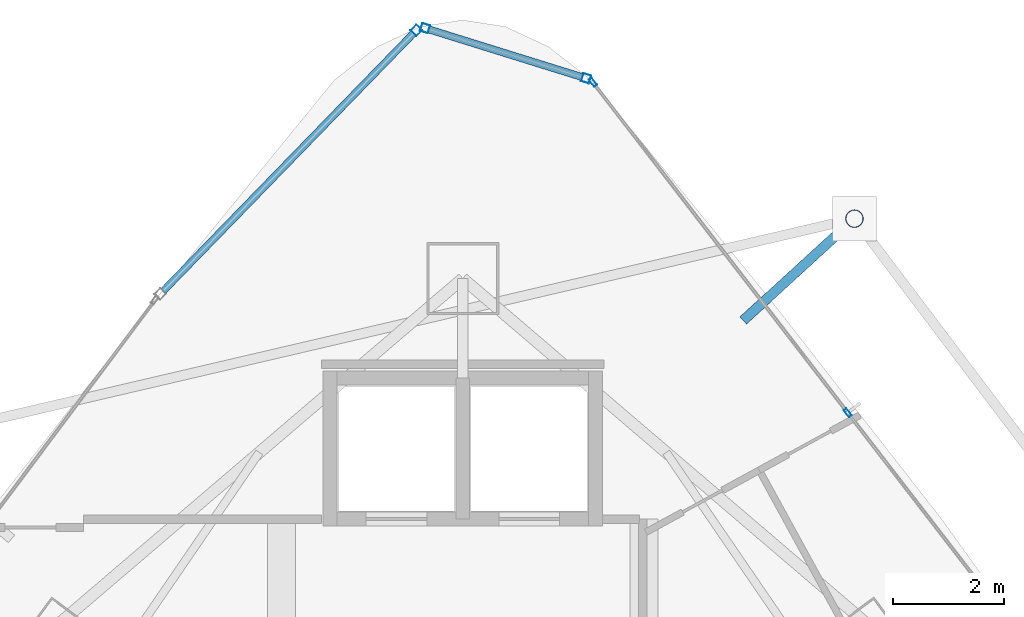
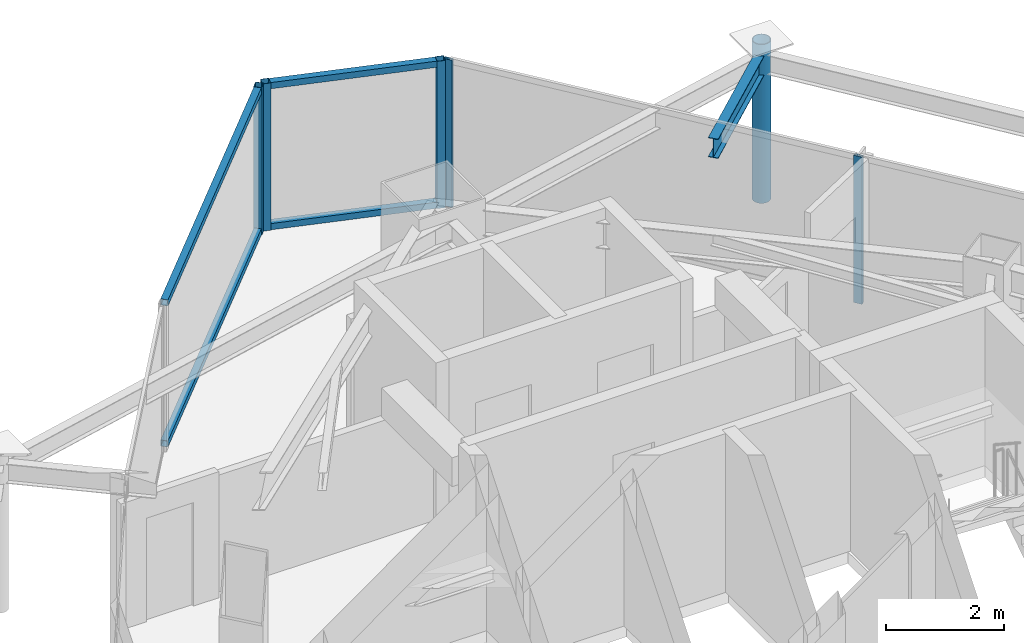
# One storey, part 24 of 32: 10 members, 1 beam, 3 elements without a shape of their own.
"""IFC4 building model written with IfcOpenShell, lengths in metres."""

from ifc_helpers import new_model, si_unit, direction, frame, origin, origin_2d, place, context, subcontext, project, spatial, hollow_rectangle, hollow_circle, i_section, extrude, material, layer, layer_set, material_profile, profile_set, type_object, element, aggregate, save


model = new_model("IFC4")

# Units and contexts
model_context = context("Model", 3, precision=1e-05, world=origin(), true_north=direction((0.0, 1.0)))
body_context = subcontext(model_context, "Body", "Model", "MODEL_VIEW")
ifc_project = project(units=[si_unit("LENGTHUNIT", "METRE"), si_unit("AREAUNIT", "SQUARE_METRE"), si_unit("VOLUMEUNIT", "CUBIC_METRE"), si_unit("PLANEANGLEUNIT", "RADIAN"), si_unit("MASSUNIT", "GRAM", prefix="KILO")], contexts=[model_context])

# Site, building, storey
site_placement = place(None, origin())
site = spatial("IfcSite", under=ifc_project, at=site_placement, CompositionType="ELEMENT")
building_placement = place(site_placement, origin())
building = spatial("IfcBuilding", under=site, at=building_placement, Name="Orvanel Arch Residences", CompositionType="ELEMENT")
storey_placement = place(building_placement, frame((0.0, 0.0, 222.800048828125)))
storey = spatial("IfcBuildingStorey", under=building, at=storey_placement, Name="L63", CompositionType="ELEMENT", Elevation=222.800048828125)

# Curtain wall, members
ifc_material_1 = material(Name="Bronze-anodised aluminium AA6063-T6", Category="aluminium")
ifc_layer_1 = layer(ifc_material_1, 0.18994140625)
ifc_layer_set_1 = layer_set([ifc_layer_1], Name="Bronze-anodised aluminium AA6063-T6")
curtain_wall_type_1 = type_object("IfcCurtainWallType", Name="CW5-CRN-SYS", PredefinedType="NOTDEFINED", material=ifc_layer_set_1)
curtain_wall_1_placement = place(storey_placement, origin())
curtain_wall_1 = element("IfcCurtainWall", 1, at=curtain_wall_1_placement, inside=storey, type_object=curtain_wall_type_1, Name="L63 CW5-CRN-SYS Unitised Curtain Wall", PredefinedType="NOTDEFINED")
ifc_material_profile_1 = material_profile(ifc_material_1, hollow_rectangle(XDim=0.14990234375, YDim=0.14990234375, WallThickness=0.0048828125, at=origin_2d()), Name="ALU150x150x5")
ifc_profile_set_1 = profile_set([ifc_material_profile_1], Name="Bronze-anodised aluminium AA6063-T6")
member_type_1 = type_object("IfcMemberType", Name="MUL-150x150", PredefinedType="MULLION", material=ifc_profile_set_1)
member_1_placement = place(storey_placement, frame((35.2294921875, 45.014404296875, 0.0), z_axis=(0.0, 0.0, 1.0), x_axis=(-0.297224858639, -0.954807511181, 0.0)))
member_1 = element("IfcMember", 2, at=member_1_placement, type_object=member_type_1, Name="CW-S5 mullion 1", PredefinedType="MULLION", context=body_context, shape_type="SweptSolid", body=[
    extrude(hollow_rectangle(XDim=0.14990234375, YDim=0.14990234375, WallThickness=0.0048828125, at=origin_2d()), origin(), (0.0, 0.0, 1.0), 3.06005859375),
])
member_2_placement = place(storey_placement, frame((32.317626953125, 45.920654296875, 0.0), z_axis=(0.0, 0.0, 1.0), x_axis=(-0.297224858639, -0.954807511181, 0.0)))
member_2 = element("IfcMember", 3, at=member_2_placement, type_object=member_type_1, Name="CW-S5 mullion 2", PredefinedType="MULLION", context=body_context, shape_type="SweptSolid", body=[
    extrude(hollow_rectangle(XDim=0.14990234375, YDim=0.14990234375, WallThickness=0.0048828125, at=origin_2d()), origin(), (0.0, 0.0, 1.0), 3.06005859375),
])

# Curtain wall, member
curtain_wall_2_placement = place(storey_placement, origin())
curtain_wall_2 = element("IfcCurtainWall", 4, at=curtain_wall_2_placement, inside=storey, type_object=curtain_wall_type_1, Name="L63 CW5-CRN-SYS Unitised Curtain Wall", PredefinedType="NOTDEFINED")
member_3_placement = place(storey_placement, frame((32.16064453125, 45.881103515625, 0.0), z_axis=(0.0, 0.0, 1.0), x_axis=(0.717266764401, -0.696798671558, 0.0)))
member_3 = element("IfcMember", 5, at=member_3_placement, type_object=member_type_1, Name="CW-S5 mullion 1", PredefinedType="MULLION", context=body_context, shape_type="SweptSolid", body=[
    extrude(hollow_rectangle(XDim=0.14990234375, YDim=0.14990234375, WallThickness=0.0048828125, at=origin_2d()), origin(), (0.0, 0.0, 1.0), 3.06005859375),
])

# Curtain wall, members
ifc_layer_2 = layer(ifc_material_1, 0.175048828125)
ifc_layer_set_2 = layer_set([ifc_layer_2], Name="Bronze-anodised aluminium AA6063-T6")
curtain_wall_type_2 = type_object("IfcCurtainWallType", Name="CW4-HI-SYS", PredefinedType="NOTDEFINED", material=ifc_layer_set_2)
curtain_wall_3_placement = place(storey_placement, origin())
curtain_wall_3 = element("IfcCurtainWall", 6, at=curtain_wall_3_placement, inside=storey, type_object=curtain_wall_type_2, Name="L63 CW4-HI-SYS Unitised Curtain Wall", PredefinedType="NOTDEFINED")
ifc_material_profile_2 = material_profile(ifc_material_1, hollow_rectangle(XDim=0.06494140625, YDim=0.159912109375, WallThickness=0.00390625, at=origin_2d()), Name="ALU160x65x4")
ifc_profile_set_2 = profile_set([ifc_material_profile_2], Name="Bronze-anodised aluminium AA6063-T6")
member_type_2 = type_object("IfcMemberType", Name="MUL-160x65", PredefinedType="MULLION", material=ifc_profile_set_2)
member_4_placement = place(storey_placement, frame((39.9560546875, 38.971923828125, 0.0), z_axis=(0.0, 0.0, 1.0), x_axis=(-0.791975613177, -0.610552723467, 0.0)))
member_4 = element("IfcMember", 7, at=member_4_placement, type_object=member_type_2, Name="CW-S4 mullion 2", PredefinedType="MULLION", context=body_context, shape_type="SweptSolid", body=[
    extrude(hollow_rectangle(XDim=0.06494140625, YDim=0.159912109375, WallThickness=0.00390625, at=origin_2d()), origin(), (0.0, 0.0, 1.0), 3.06005859375),
])
member_5_placement = place(storey_placement, frame((35.351806640625, 44.9443359375, 0.0), z_axis=(0.0, 0.0, 1.0), x_axis=(-0.791975613177, -0.610552723467, 0.0)))
member_5 = element("IfcMember", 8, at=member_5_placement, type_object=member_type_2, Name="CW-S4 mullion 3", PredefinedType="MULLION", context=body_context, shape_type="SweptSolid", body=[
    extrude(hollow_rectangle(XDim=0.06494140625, YDim=0.159912109375, WallThickness=0.00390625, at=origin_2d()), origin(), (0.0, 0.0, 1.0), 3.06005859375),
])
aggregate(curtain_wall_3, [member_4, member_5])

# Beam
ifc_material_2 = material(Name="Structural steel AS/NZS 3679.1 Grade 300 (300 MPa)", Category="steel")
ifc_material_profile_3 = material_profile(ifc_material_2, i_section(OverallWidth=0.177978515625, OverallDepth=0.406005859375, WebThickness=0.0078125, FlangeThickness=0.0126953125, at=origin_2d()), Name="410UB59.7")
ifc_profile_set_3 = profile_set([ifc_material_profile_3], Name="Structural steel AS/NZS 3679.1 Grade 300 (300 MPa)")
beam_type = type_object("IfcBeamType", Name="OB-410UB-EXT", PredefinedType="SPANDREL", material=ifc_profile_set_3)
beam_placement = place(storey_placement, frame((38.06689453125, 40.639892578125, 2.85693359375), z_axis=(0.737775025375, 0.675046673892, 0.0), x_axis=(-0.675046673892, 0.737775025375, 0.0)))
element("IfcBeam", 9, at=beam_placement, inside=storey, type_object=beam_type, Name="L63 Outer Frame Radial Tie Beam 12", PredefinedType="SPANDREL", context=body_context, shape_type="SweptSolid", body=[
    extrude(i_section(OverallWidth=0.177978515625, OverallDepth=0.406005859375, WebThickness=0.0078125, FlangeThickness=0.0126953125, at=origin_2d()), origin(), (0.0, 0.0, 1.0), 2.724365234375),
])

# Member
ifc_material_3 = material(Name="Structural steel AS/NZS 1163 C350L0 (Grade 350)", Category="steel")
ifc_material_profile_4 = material_profile(ifc_material_3, hollow_circle(Radius=0.162109375, WallThickness=0.0126953125, at=origin_2d()), Name="CHS324x12.7")
ifc_profile_set_4 = profile_set([ifc_material_profile_4], Name="Structural steel AS/NZS 1163 C350L0 (Grade 350)")
member_type_3 = type_object("IfcMemberType", Name="ST-324CHS-EXT", PredefinedType="STRUT", material=ifc_profile_set_4)
member_6_placement = place(storey_placement, frame((40.076904296875, 42.47900390625, 0.0), z_axis=(0.0, 0.0, 1.0), x_axis=(1.0, 0.0, 0.0)))
element("IfcMember", 10, at=member_6_placement, inside=storey, type_object=member_type_3, Name="L63 Outer Perimeter Frame Post 12", PredefinedType="STRUT", context=body_context, shape_type="SweptSolid", body=[
    extrude(hollow_circle(Radius=0.162109375, WallThickness=0.0126953125, at=origin_2d()), origin(), (0.0, 0.0, 1.0), 3.300048828125),
])

ifc_material_profile_5 = material_profile(ifc_material_1, hollow_rectangle(XDim=0.1298828125, YDim=0.1298828125, WallThickness=0.00439453125, at=origin_2d()), Name="ALU130x130x4.5")
ifc_profile_set_5 = profile_set([ifc_material_profile_5], Name="Bronze-anodised aluminium AA6063-T6")
member_type_4 = type_object("IfcMemberType", Name="TRN-130x130", PredefinedType="USERDEFINED", material=ifc_profile_set_5)
member_7_placement = place(storey_placement, frame((35.15771484375, 45.03662109375, 0.06494140625), z_axis=(-0.954808997265, 0.297220084687, 0.0), x_axis=(-0.297220084687, -0.954808997265, 0.0)))
member_7 = element("IfcMember", 11, at=member_7_placement, type_object=member_type_4, Name="CW-S5 transom 1.1", ObjectType="TRANSOM", PredefinedType="USERDEFINED", context=body_context, shape_type="SweptSolid", body=[
    extrude(hollow_rectangle(XDim=0.1298828125, YDim=0.1298828125, WallThickness=0.00439453125, at=origin_2d()), origin(), (0.0, 0.0, 1.0), 2.899658203125),
])

member_8_placement = place(storey_placement, frame((35.15771484375, 45.03662109375, 2.994873046875), z_axis=(-0.954808997265, 0.297220084687, 0.0), x_axis=(-0.297220084687, -0.954808997265, 0.0)))
member_8 = element("IfcMember", 12, at=member_8_placement, type_object=member_type_4, Name="CW-S5 transom 1.2", ObjectType="TRANSOM", PredefinedType="USERDEFINED", context=body_context, shape_type="SweptSolid", body=[
    extrude(hollow_rectangle(XDim=0.1298828125, YDim=0.1298828125, WallThickness=0.00439453125, at=origin_2d()), origin(), (0.0, 0.0, 1.0), 2.899658203125),
])

aggregate(curtain_wall_1, [member_1, member_2, member_7, member_8])

member_9_placement = place(storey_placement, frame((32.1083984375, 45.827392578125, 0.06494140625), z_axis=(-0.696802270693, -0.717263267954, 0.0), x_axis=(0.717263267954, -0.696802270693, 0.0)))
member_9 = element("IfcMember", 13, at=member_9_placement, type_object=member_type_4, Name="CW-S5 transom 1.1", ObjectType="TRANSOM", PredefinedType="USERDEFINED", context=body_context, shape_type="SweptSolid", body=[
    extrude(hollow_rectangle(XDim=0.1298828125, YDim=0.1298828125, WallThickness=0.00439453125, at=origin_2d()), origin(), (0.0, 0.0, 1.0), 6.490966796875),
])

member_10_placement = place(storey_placement, frame((32.1083984375, 45.827392578125, 2.994873046875), z_axis=(-0.696802270693, -0.717263267954, 0.0), x_axis=(0.717263267954, -0.696802270693, 0.0)))
member_10 = element("IfcMember", 14, at=member_10_placement, type_object=member_type_4, Name="CW-S5 transom 1.2", ObjectType="TRANSOM", PredefinedType="USERDEFINED", context=body_context, shape_type="SweptSolid", body=[
    extrude(hollow_rectangle(XDim=0.1298828125, YDim=0.1298828125, WallThickness=0.00439453125, at=origin_2d()), origin(), (0.0, 0.0, 1.0), 6.490966796875),
])

aggregate(curtain_wall_2, [member_3, member_9, member_10])

save(model, "model.ifc")
